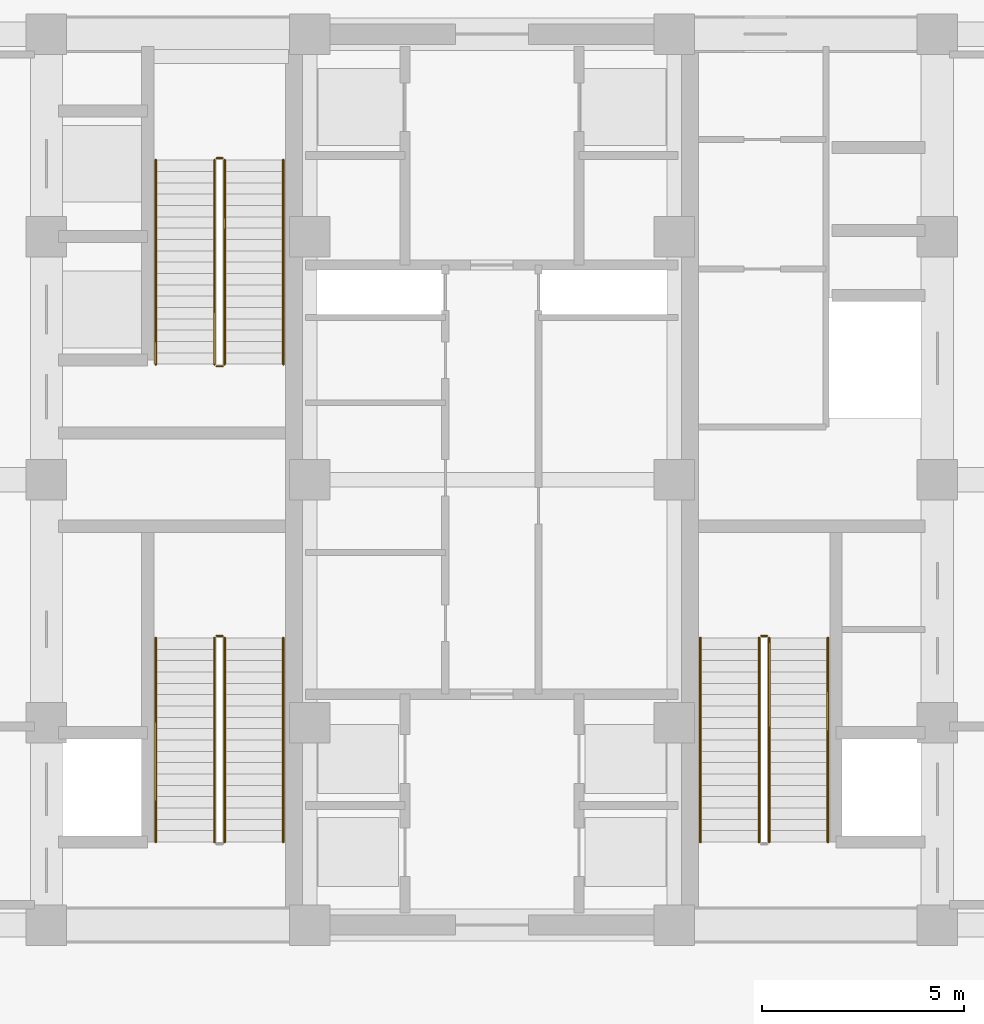
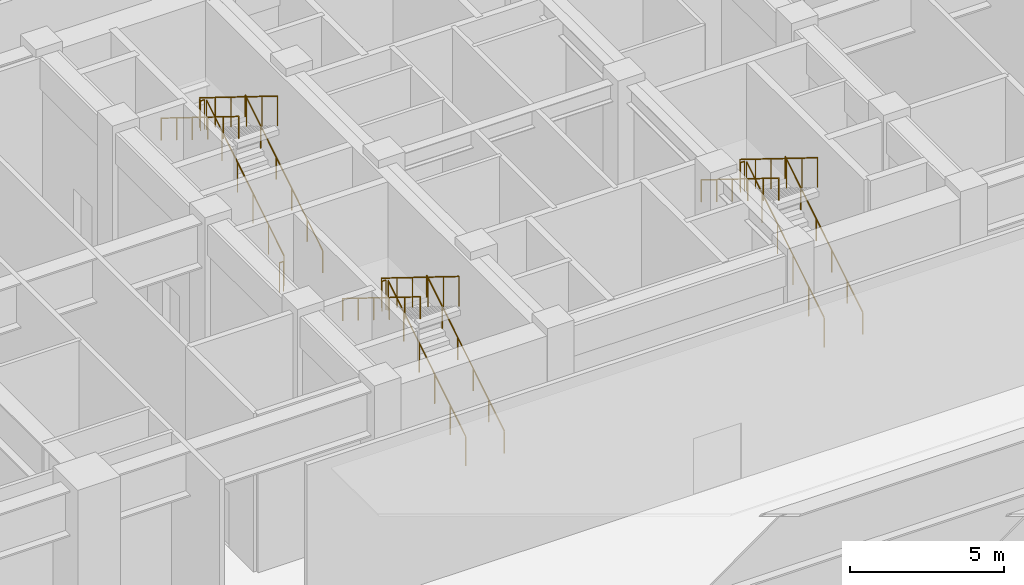
# One storey, part 18 of 21: 16 railings.
"""IFC4 building model written with IfcOpenShell, lengths in metres."""

from ifc_helpers import new_model, si_unit, direction, frame, origin, origin_2d, place, context, subcontext, project, spatial, circle, extrude, source, transform, mapped, material, type_object, element, save


model = new_model("IFC4")

# Units and contexts
model_context = context("Model", 3, precision=1e-05, world=origin(), true_north=direction((0.0, 1.0)))
body_context = subcontext(model_context, "Body", "Model", "MODEL_VIEW")
ifc_project = project(units=[si_unit("LENGTHUNIT", "METRE"), si_unit("AREAUNIT", "SQUARE_METRE"), si_unit("VOLUMEUNIT", "CUBIC_METRE"), si_unit("PLANEANGLEUNIT", "RADIAN"), si_unit("MASSUNIT", "GRAM", prefix="KILO")], contexts=[model_context])

# Site, building, storey
site_placement = place(None, origin())
site = spatial("IfcSite", under=ifc_project, at=site_placement, CompositionType="ELEMENT")
building_placement = place(site_placement, origin())
building = spatial("IfcBuilding", under=site, at=building_placement, Name="Khorayat Bourse Tower", CompositionType="ELEMENT")
storey_placement = place(building_placement, origin())
storey = spatial("IfcBuildingStorey", under=building, at=storey_placement, Name="L00", CompositionType="ELEMENT", Elevation=0.0)

# Railings
ifc_material_1 = material(Name="Powder-coated steel balustrade", Category="steel")
railing_type_1 = type_object("IfcRailingType", Name="RLG-GUARD-1200", PredefinedType="GUARDRAIL", material=ifc_material_1)
shared_shape_1 = source(origin(), body_context, "Body", "SweptSolid", [
    extrude(circle(Radius=0.02392578125, at=origin_2d()), frame((0.0, 0.0, 1.17578125), z_axis=(-1.0, 0.0, 0.0), x_axis=(0.0, -1.0, 0.0)), (0.0, 0.0, 1.0), 0.150146484375),
    extrude(circle(Radius=0.02099609375, at=origin_2d()), origin(), (0.0, 0.0, 1.0), 1.15185546875),
    extrude(circle(Radius=0.02099609375, at=origin_2d()), frame((-0.150146484375, 0.0, 0.0)), (0.0, 0.0, 1.0), 1.15185546875),
])
for number, where, name in (
    (1, (-6.64990234375, -3.860107421875, 3.300048828125), "L00 ST-1 stair guard 2"),
    (2, (-6.64990234375, 7.93994140625, 3.300048828125), "L00 ST-2 stair guard 2"),
    (3, (-6.64990234375, 2.800048828125, 0.0), "L00 ST-2 stair guard 4"),
    (4, (6.800048828125, -3.860107421875, 3.300048828125), "L00 ST-3 stair guard 2"),
):
    element("IfcRailing", number, at=place(storey_placement, frame(where)), inside=storey, type_object=railing_type_1, Name=name, PredefinedType="GUARDRAIL", context=body_context, shape_type="MappedRepresentation", body=[
        mapped(shared_shape_1, transform((0.0, 0.0, 0.0), scale=1.0)),
    ])
shared_shape_2 = source(origin(), body_context, "Body", "SweptSolid", [
    extrude(circle(Radius=0.02392578125, at=origin_2d()), frame((0.0, 0.0, 1.17578125), z_axis=(0.0, 0.849778785312, 0.527139465448), x_axis=(-1.0, 0.0, 0.0)), (0.0, 0.0, 1.0), 5.930908203125),
    extrude(circle(Radius=0.02099609375, at=origin_2d()), origin(), (0.0, 0.0, 1.0), 1.15185546875),
    extrude(circle(Radius=0.02099609375, at=origin_2d()), frame((0.0, 1.008056640625, 0.625244140625)), (0.0, 0.0, 1.0), 1.15185546875),
    extrude(circle(Radius=0.02099609375, at=origin_2d()), frame((0.0, 2.01611328125, 1.25048828125)), (0.0, 0.0, 1.0), 1.15185546875),
    extrude(circle(Radius=0.02099609375, at=origin_2d()), frame((0.0, 3.02392578125, 1.8759765625)), (0.0, 0.0, 1.0), 1.15185546875),
    extrude(circle(Radius=0.02099609375, at=origin_2d()), frame((0.0, 4.031982421875, 2.501220703125)), (0.0, 0.0, 1.0), 1.15185546875),
    extrude(circle(Radius=0.02099609375, at=origin_2d()), frame((0.0, 5.0400390625, 3.12646484375)), (0.0, 0.0, 1.0), 1.15185546875),
])
for number, where, name in (
    (5, (-6.60009765625, -8.949951171875, 0.173583984375), "L00 ST-1 stair guard 1"),
    (6, (6.85009765625, -8.949951171875, 0.173583984375), "L00 ST-3 stair guard 1"),
):
    element("IfcRailing", number, at=place(storey_placement, frame(where)), inside=storey, type_object=railing_type_1, Name=name, PredefinedType="GUARDRAIL", context=body_context, shape_type="MappedRepresentation", body=[
        mapped(shared_shape_2, transform((0.0, 0.0, 0.0), scale=1.0)),
    ])
shared_shape_3 = source(origin(), body_context, "Body", "SweptSolid", [
    extrude(circle(Radius=0.02392578125, at=origin_2d()), frame((0.0, 0.0, 1.17578125), z_axis=(0.0, -0.849778785312, 0.527139465448), x_axis=(1.0, 0.0, 0.0)), (0.0, 0.0, 1.0), 5.930908203125),
    extrude(circle(Radius=0.02099609375, at=origin_2d()), origin(), (0.0, 0.0, 1.0), 1.15185546875),
    extrude(circle(Radius=0.02099609375, at=origin_2d()), frame((0.0, -1.008056640625, 0.625244140625)), (0.0, 0.0, 1.0), 1.15185546875),
    extrude(circle(Radius=0.02099609375, at=origin_2d()), frame((0.0, -2.01611328125, 1.25048828125)), (0.0, 0.0, 1.0), 1.15185546875),
    extrude(circle(Radius=0.02099609375, at=origin_2d()), frame((0.0, -3.02392578125, 1.8759765625)), (0.0, 0.0, 1.0), 1.15185546875),
    extrude(circle(Radius=0.02099609375, at=origin_2d()), frame((0.0, -4.031982421875, 2.501220703125)), (0.0, 0.0, 1.0), 1.15185546875),
    extrude(circle(Radius=0.02099609375, at=origin_2d()), frame((0.0, -5.0400390625, 3.12646484375)), (0.0, 0.0, 1.0), 1.15185546875),
])
for number, where, name in (
    (7, (-6.85009765625, -3.909912109375, 3.4736328125), "L00 ST-1 stair guard 3"),
    (8, (6.60009765625, -3.909912109375, 3.4736328125), "L00 ST-3 stair guard 3"),
):
    element("IfcRailing", number, at=place(storey_placement, frame(where)), inside=storey, type_object=railing_type_1, Name=name, PredefinedType="GUARDRAIL", context=body_context, shape_type="MappedRepresentation", body=[
        mapped(shared_shape_3, transform((0.0, 0.0, 0.0), scale=1.0)),
    ])
ifc_material_2 = material(Name="Brushed bronze stainless-steel handrail", Category="steel")
railing_type_2 = type_object("IfcRailingType", Name="RLG-HAND-900", PredefinedType="HANDRAIL", material=ifc_material_2)
shared_shape_4 = source(origin(), body_context, "Body", "SweptSolid", [
    extrude(circle(Radius=0.02392578125, at=origin_2d()), frame((0.0, 0.0, 0.8759765625), z_axis=(0.0, 0.849778785312, 0.527139465448), x_axis=(-1.0, 0.0, 0.0)), (0.0, 0.0, 1.0), 5.930908203125),
    extrude(circle(Radius=0.02099609375, at=origin_2d()), origin(), (0.0, 0.0, 1.0), 0.851806640625),
    extrude(circle(Radius=0.02099609375, at=origin_2d()), frame((0.0, 1.008056640625, 0.625244140625)), (0.0, 0.0, 1.0), 0.851806640625),
    extrude(circle(Radius=0.02099609375, at=origin_2d()), frame((0.0, 2.01611328125, 1.25048828125)), (0.0, 0.0, 1.0), 0.851806640625),
    extrude(circle(Radius=0.02099609375, at=origin_2d()), frame((0.0, 3.02392578125, 1.8759765625)), (0.0, 0.0, 1.0), 0.851806640625),
    extrude(circle(Radius=0.02099609375, at=origin_2d()), frame((0.0, 4.031982421875, 2.501220703125)), (0.0, 0.0, 1.0), 0.851806640625),
    extrude(circle(Radius=0.02099609375, at=origin_2d()), frame((0.0, 5.0400390625, 3.12646484375)), (0.0, 0.0, 1.0), 0.851806640625),
])
for number, where, name in (
    (9, (-5.14990234375, -8.949951171875, 0.173583984375), "L00 ST-1 stair handrail 1"),
    (10, (8.300048828125, -8.949951171875, 0.173583984375), "L00 ST-3 stair handrail 1"),
):
    element("IfcRailing", number, at=place(storey_placement, frame(where)), inside=storey, type_object=railing_type_2, Name=name, PredefinedType="HANDRAIL", context=body_context, shape_type="MappedRepresentation", body=[
        mapped(shared_shape_4, transform((0.0, 0.0, 0.0), scale=1.0)),
    ])
shared_shape_5 = source(origin(), body_context, "Body", "SweptSolid", [
    extrude(circle(Radius=0.02392578125, at=origin_2d()), frame((0.0, 0.0, 0.8759765625), z_axis=(0.0, -0.849778785312, 0.527139465448), x_axis=(1.0, 0.0, 0.0)), (0.0, 0.0, 1.0), 5.930908203125),
    extrude(circle(Radius=0.02099609375, at=origin_2d()), origin(), (0.0, 0.0, 1.0), 0.851806640625),
    extrude(circle(Radius=0.02099609375, at=origin_2d()), frame((0.0, -1.008056640625, 0.625244140625)), (0.0, 0.0, 1.0), 0.851806640625),
    extrude(circle(Radius=0.02099609375, at=origin_2d()), frame((0.0, -2.01611328125, 1.25048828125)), (0.0, 0.0, 1.0), 0.851806640625),
    extrude(circle(Radius=0.02099609375, at=origin_2d()), frame((0.0, -3.02392578125, 1.8759765625)), (0.0, 0.0, 1.0), 0.851806640625),
    extrude(circle(Radius=0.02099609375, at=origin_2d()), frame((0.0, -4.031982421875, 2.501220703125)), (0.0, 0.0, 1.0), 0.851806640625),
    extrude(circle(Radius=0.02099609375, at=origin_2d()), frame((0.0, -5.0400390625, 3.12646484375)), (0.0, 0.0, 1.0), 0.851806640625),
])
for number, where, name in (
    (11, (-8.300048828125, -3.909912109375, 3.4736328125), "L00 ST-1 stair handrail 2"),
    (12, (5.14990234375, -3.909912109375, 3.4736328125), "L00 ST-3 stair handrail 2"),
):
    element("IfcRailing", number, at=place(storey_placement, frame(where)), inside=storey, type_object=railing_type_2, Name=name, PredefinedType="HANDRAIL", context=body_context, shape_type="MappedRepresentation", body=[
        mapped(shared_shape_5, transform((0.0, 0.0, 0.0), scale=1.0)),
    ])
shared_shape_6 = source(origin(), body_context, "Body", "SweptSolid", [
    extrude(circle(Radius=0.02392578125, at=origin_2d()), frame((0.0, 0.0, 1.17578125), z_axis=(0.0, 0.84976734637, 0.527157905227), x_axis=(-1.0, 0.0, 0.0)), (0.0, 0.0, 1.0), 5.930908203125),
    extrude(circle(Radius=0.02099609375, at=origin_2d()), origin(), (0.0, 0.0, 1.0), 1.15185546875),
    extrude(circle(Radius=0.02099609375, at=origin_2d()), frame((0.0, 1.008056640625, 0.625244140625)), (0.0, 0.0, 1.0), 1.15185546875),
    extrude(circle(Radius=0.02099609375, at=origin_2d()), frame((0.0, 2.015869140625, 1.25048828125)), (0.0, 0.0, 1.0), 1.15185546875),
    extrude(circle(Radius=0.02099609375, at=origin_2d()), frame((0.0, 3.02392578125, 1.8759765625)), (0.0, 0.0, 1.0), 1.15185546875),
    extrude(circle(Radius=0.02099609375, at=origin_2d()), frame((0.0, 4.03173828125, 2.501220703125)), (0.0, 0.0, 1.0), 1.15185546875),
    extrude(circle(Radius=0.02099609375, at=origin_2d()), frame((0.0, 5.039794921875, 3.12646484375)), (0.0, 0.0, 1.0), 1.15185546875),
])
railing_1_placement = place(storey_placement, frame((-6.60009765625, 2.85009765625, 0.173583984375)))
element("IfcRailing", 13, at=railing_1_placement, inside=storey, type_object=railing_type_1, Name="L00 ST-2 stair guard 1", PredefinedType="GUARDRAIL", context=body_context, shape_type="MappedRepresentation", body=[
    mapped(shared_shape_6, transform((0.0, 0.0, 0.0), scale=1.0)),
])
shared_shape_7 = source(origin(), body_context, "Body", "SweptSolid", [
    extrude(circle(Radius=0.02392578125, at=origin_2d()), frame((0.0, 0.0, 1.17578125), z_axis=(0.0, -0.84976734637, 0.527157905227), x_axis=(1.0, 0.0, 0.0)), (0.0, 0.0, 1.0), 5.930908203125),
    extrude(circle(Radius=0.02099609375, at=origin_2d()), origin(), (0.0, 0.0, 1.0), 1.15185546875),
    extrude(circle(Radius=0.02099609375, at=origin_2d()), frame((0.0, -1.008056640625, 0.625244140625)), (0.0, 0.0, 1.0), 1.15185546875),
    extrude(circle(Radius=0.02099609375, at=origin_2d()), frame((0.0, -2.015869140625, 1.25048828125)), (0.0, 0.0, 1.0), 1.15185546875),
    extrude(circle(Radius=0.02099609375, at=origin_2d()), frame((0.0, -3.02392578125, 1.8759765625)), (0.0, 0.0, 1.0), 1.15185546875),
    extrude(circle(Radius=0.02099609375, at=origin_2d()), frame((0.0, -4.03173828125, 2.501220703125)), (0.0, 0.0, 1.0), 1.15185546875),
    extrude(circle(Radius=0.02099609375, at=origin_2d()), frame((0.0, -5.039794921875, 3.12646484375)), (0.0, 0.0, 1.0), 1.15185546875),
])
railing_2_placement = place(storey_placement, frame((-6.85009765625, 7.889892578125, 3.4736328125)))
element("IfcRailing", 14, at=railing_2_placement, inside=storey, type_object=railing_type_1, Name="L00 ST-2 stair guard 3", PredefinedType="GUARDRAIL", context=body_context, shape_type="MappedRepresentation", body=[
    mapped(shared_shape_7, transform((0.0, 0.0, 0.0), scale=1.0)),
])
shared_shape_8 = source(origin(), body_context, "Body", "SweptSolid", [
    extrude(circle(Radius=0.02392578125, at=origin_2d()), frame((0.0, 0.0, 0.8759765625), z_axis=(0.0, 0.84976734637, 0.527157905227), x_axis=(-1.0, 0.0, 0.0)), (0.0, 0.0, 1.0), 5.930908203125),
    extrude(circle(Radius=0.02099609375, at=origin_2d()), origin(), (0.0, 0.0, 1.0), 0.851806640625),
    extrude(circle(Radius=0.02099609375, at=origin_2d()), frame((0.0, 1.008056640625, 0.625244140625)), (0.0, 0.0, 1.0), 0.851806640625),
    extrude(circle(Radius=0.02099609375, at=origin_2d()), frame((0.0, 2.015869140625, 1.25048828125)), (0.0, 0.0, 1.0), 0.851806640625),
    extrude(circle(Radius=0.02099609375, at=origin_2d()), frame((0.0, 3.02392578125, 1.8759765625)), (0.0, 0.0, 1.0), 0.851806640625),
    extrude(circle(Radius=0.02099609375, at=origin_2d()), frame((0.0, 4.03173828125, 2.501220703125)), (0.0, 0.0, 1.0), 0.851806640625),
    extrude(circle(Radius=0.02099609375, at=origin_2d()), frame((0.0, 5.039794921875, 3.12646484375)), (0.0, 0.0, 1.0), 0.851806640625),
])
railing_3_placement = place(storey_placement, frame((-5.14990234375, 2.85009765625, 0.173583984375)))
element("IfcRailing", 15, at=railing_3_placement, inside=storey, type_object=railing_type_2, Name="L00 ST-2 stair handrail 1", PredefinedType="HANDRAIL", context=body_context, shape_type="MappedRepresentation", body=[
    mapped(shared_shape_8, transform((0.0, 0.0, 0.0), scale=1.0)),
])
shared_shape_9 = source(origin(), body_context, "Body", "SweptSolid", [
    extrude(circle(Radius=0.02392578125, at=origin_2d()), frame((0.0, 0.0, 0.8759765625), z_axis=(0.0, -0.84976734637, 0.527157905227), x_axis=(1.0, 0.0, 0.0)), (0.0, 0.0, 1.0), 5.930908203125),
    extrude(circle(Radius=0.02099609375, at=origin_2d()), origin(), (0.0, 0.0, 1.0), 0.851806640625),
    extrude(circle(Radius=0.02099609375, at=origin_2d()), frame((0.0, -1.008056640625, 0.625244140625)), (0.0, 0.0, 1.0), 0.851806640625),
    extrude(circle(Radius=0.02099609375, at=origin_2d()), frame((0.0, -2.015869140625, 1.25048828125)), (0.0, 0.0, 1.0), 0.851806640625),
    extrude(circle(Radius=0.02099609375, at=origin_2d()), frame((0.0, -3.02392578125, 1.8759765625)), (0.0, 0.0, 1.0), 0.851806640625),
    extrude(circle(Radius=0.02099609375, at=origin_2d()), frame((0.0, -4.03173828125, 2.501220703125)), (0.0, 0.0, 1.0), 0.851806640625),
    extrude(circle(Radius=0.02099609375, at=origin_2d()), frame((0.0, -5.039794921875, 3.12646484375)), (0.0, 0.0, 1.0), 0.851806640625),
])
railing_4_placement = place(storey_placement, frame((-8.300048828125, 7.889892578125, 3.4736328125)))
element("IfcRailing", 16, at=railing_4_placement, inside=storey, type_object=railing_type_2, Name="L00 ST-2 stair handrail 2", PredefinedType="HANDRAIL", context=body_context, shape_type="MappedRepresentation", body=[
    mapped(shared_shape_9, transform((0.0, 0.0, 0.0), scale=1.0)),
])

save(model, "model.ifc")
